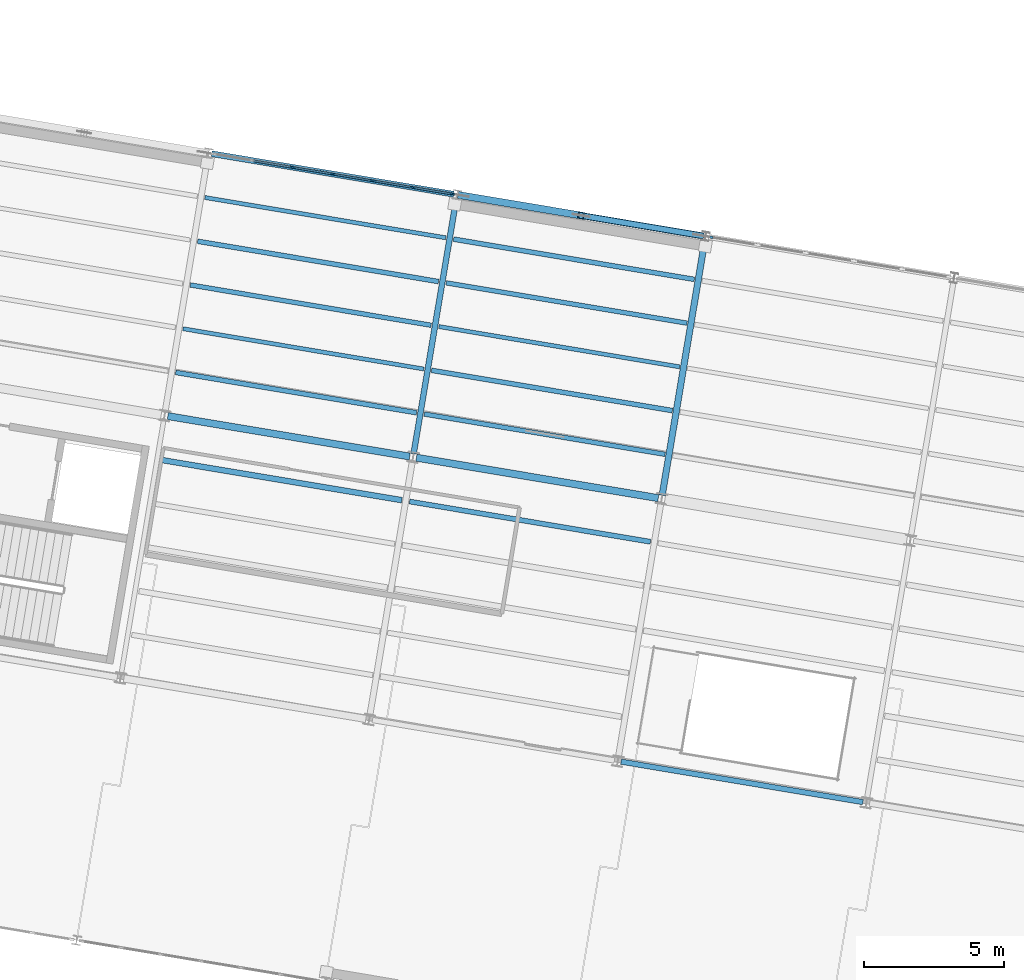
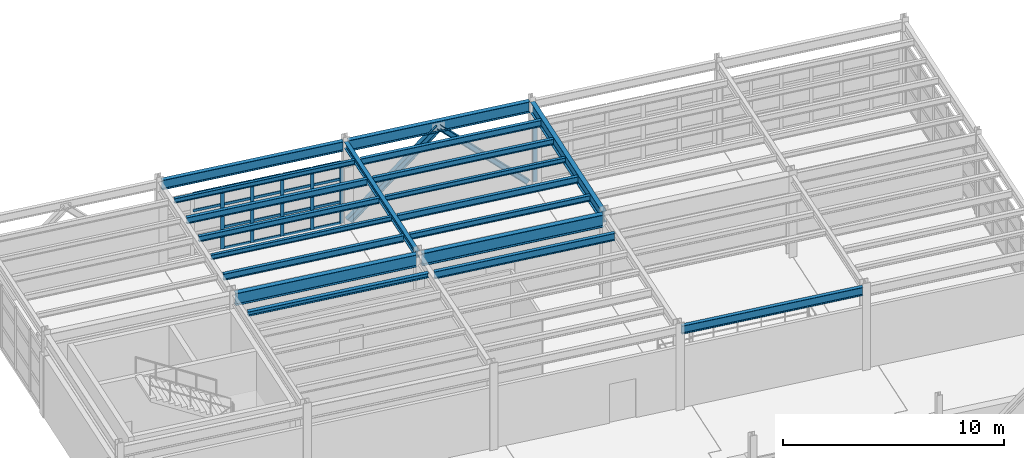
# One storey, part 41 of 102: 26 members, 19 beams, 2 elements without a shape of their own.
"""IFC4 building model written with IfcOpenShell, lengths in metres."""

from ifc_helpers import new_model, si_unit, direction, frame, origin, origin_2d, place, context, subcontext, project, spatial, rectangle, i_section, extrude, material, layer, layer_set, material_profile, profile_set, type_object, element, aggregate, save


model = new_model("IFC4")

# Units and contexts
model_context = context("Model", 3, precision=1e-05, world=origin(), true_north=direction((0.0, 1.0)))
body_context = subcontext(model_context, "Body", "Model", "MODEL_VIEW")
ifc_project = project(units=[si_unit("LENGTHUNIT", "METRE"), si_unit("AREAUNIT", "SQUARE_METRE"), si_unit("VOLUMEUNIT", "CUBIC_METRE"), si_unit("PLANEANGLEUNIT", "RADIAN"), si_unit("MASSUNIT", "GRAM", prefix="KILO")], contexts=[model_context])

# Site, building, storey
site_placement = place(None, origin())
site = spatial("IfcSite", under=ifc_project, at=site_placement, CompositionType="ELEMENT")
building_placement = place(site_placement, origin())
building = spatial("IfcBuilding", under=site, at=building_placement, Name="Vireo Bluff Cable Station", CompositionType="ELEMENT")
storey_placement = place(building_placement, frame((0.0, 0.0, 9.60009765625)))
storey = spatial("IfcBuildingStorey", under=building, at=storey_placement, Name="L02", CompositionType="ELEMENT", Elevation=9.60009765625)

# Beam
ifc_material_1 = material(Name="Steel ASTM A992 Gr. 50", Category="steel")
ifc_material_profile_1 = material_profile(ifc_material_1, i_section(OverallWidth=0.2041015625, OverallDepth=0.35009765625, WebThickness=0.008544921875, FlangeThickness=0.01513671875, FilletRadius=0.010009765625, at=origin_2d()), Name="W14X48")
ifc_profile_set_1 = profile_set([ifc_material_profile_1], Name="Steel ASTM A992 Gr. 50")
beam_type_1 = type_object("IfcBeamType", Name="BM-W14X48", PredefinedType="BEAM", material=ifc_profile_set_1)
beam_1_placement = place(storey_placement, frame((26.408935546875, 87.386962890625, 4.364990234375), z_axis=(0.165044536891, 0.986286115102, 0.0), x_axis=(-0.986286115102, 0.165044536891, 0.0)))
element("IfcBeam", 1, at=beam_1_placement, inside=storey, type_object=beam_type_1, Name="V4 L02 beam 992", PredefinedType="BEAM", context=body_context, shape_type="SweptSolid", body=[
    extrude(i_section(OverallWidth=0.2041015625, OverallDepth=0.35009765625, WebThickness=0.008544921875, FlangeThickness=0.01513671875, FilletRadius=0.010009765625, at=origin_2d()), origin(), (0.0, 0.0, 1.0), 9.260009765625),
])

# Members
ifc_material_profile_2 = material_profile(ifc_material_1, i_section(OverallWidth=0.2041015625, OverallDepth=0.257080078125, WebThickness=0.0087890625, FlangeThickness=0.015625, FilletRadius=0.009033203125, at=origin_2d()), Name="W10X45")
ifc_profile_set_2 = profile_set([ifc_material_profile_2], Name="Steel ASTM A992 Gr. 50")
member_type_1 = type_object("IfcMemberType", Name="BRC-01", PredefinedType="BRACE", material=ifc_profile_set_2)
member_1_placement = place(storey_placement, frame((36.67578125, 95.17919921875, 0.039794921875), z_axis=(-0.713650967905, 0.119423483707, 0.690246570109), x_axis=(-0.165046622801, -0.986285766044, 0.0)))
element("IfcMember", 2, at=member_1_placement, inside=storey, type_object=member_type_1, Name="V4 L02 concentric brace 78R", PredefinedType="BRACE", context=body_context, shape_type="SweptSolid", body=[
    extrude(i_section(OverallWidth=0.2041015625, OverallDepth=0.257080078125, WebThickness=0.0087890625, FlangeThickness=0.015625, FilletRadius=0.009033203125, at=origin_2d()), origin(), (0.0, 0.0, 1.0), 5.998046875),
])
ifc_material_profile_3 = material_profile(ifc_material_1, i_section(OverallWidth=0.25390625, OverallDepth=0.35302734375, WebThickness=0.009521484375, FlangeThickness=0.016357421875, FilletRadius=0.011962890625, at=origin_2d()), Name="W14X61")
ifc_profile_set_3 = profile_set([ifc_material_profile_3], Name="Steel ASTM A992 Gr. 50")
member_type_2 = type_object("IfcMemberType", Name="BRC-06", PredefinedType="BRACE", material=ifc_profile_set_3)
member_2_placement = place(storey_placement, frame((28.11474609375, 96.61181640625, 0.039794921875), z_axis=(0.713650967905, -0.119423483707, 0.690246570109), x_axis=(0.165046622801, 0.986285766044, 0.0)))
element("IfcMember", 3, at=member_2_placement, inside=storey, type_object=member_type_2, Name="V4 L02 concentric brace 77L", PredefinedType="BRACE", context=body_context, shape_type="SweptSolid", body=[
    extrude(i_section(OverallWidth=0.25390625, OverallDepth=0.35302734375, WebThickness=0.009521484375, FlangeThickness=0.016357421875, FilletRadius=0.011962890625, at=origin_2d()), origin(), (0.0, 0.0, 1.0), 5.998046875),
])

# Curtain wall, members
ifc_material_2 = material(Name="Anodized Aluminium 6063-T6", Category="aluminium")
ifc_layer_1 = layer(ifc_material_2, 0.179931640625, Name="Anodized Aluminium 6063-T6")
ifc_layer_set_1 = layer_set([ifc_layer_1], Name="Anodized Aluminium 6063-T6")
curtain_wall_type_1 = type_object("IfcCurtainWallType", Name="CW-UNIT-1500", PredefinedType="USERDEFINED", material=ifc_layer_set_1)
curtain_wall_1_placement = place(storey_placement, origin())
curtain_wall_1 = element("IfcCurtainWall", 4, at=curtain_wall_1_placement, inside=storey, type_object=curtain_wall_type_1, Name="V4 L02 north curtain wall CW-100", ObjectType="UNITISED CURTAIN WALL", PredefinedType="USERDEFINED")
ifc_material_profile_4 = material_profile(ifc_material_2, rectangle(XDim=0.06494140625, YDim=0.179931640625, at=origin_2d()), Name="ALU-M-65X180")
ifc_profile_set_4 = profile_set([ifc_material_profile_4], Name="Anodized Aluminium 6063-T6")
member_type_3 = type_object("IfcMemberType", Name="CWM-01", PredefinedType="MULLION", material=ifc_profile_set_4)
member_3_placement = place(storey_placement, frame((22.092041015625, 97.61962890625, 0.0), z_axis=(0.0, 0.0, 1.0), x_axis=(0.165047544373, 0.986285611827, 0.0)))
member_3 = element("IfcMember", 5, at=member_3_placement, type_object=member_type_3, Name="CW-100 mullion 3", PredefinedType="MULLION", context=body_context, shape_type="SweptSolid", body=[
    extrude(rectangle(XDim=0.06494140625, YDim=0.179931640625, at=origin_2d()), origin(), (0.0, 0.0, 1.0), 3.39990234375),
])
member_4_placement = place(storey_placement, frame((23.519775390625, 97.380859375, 0.0), z_axis=(0.0, 0.0, 1.0), x_axis=(0.165047544373, 0.986285611827, 0.0)))
member_4 = element("IfcMember", 6, at=member_4_placement, type_object=member_type_3, Name="CW-100 mullion 4", PredefinedType="MULLION", context=body_context, shape_type="SweptSolid", body=[
    extrude(rectangle(XDim=0.06494140625, YDim=0.179931640625, at=origin_2d()), origin(), (0.0, 0.0, 1.0), 3.39990234375),
])
member_5_placement = place(storey_placement, frame((24.947265625, 97.141845703125, 0.0), z_axis=(0.0, 0.0, 1.0), x_axis=(0.165047544373, 0.986285611827, 0.0)))
member_5 = element("IfcMember", 7, at=member_5_placement, type_object=member_type_3, Name="CW-100 mullion 5", PredefinedType="MULLION", context=body_context, shape_type="SweptSolid", body=[
    extrude(rectangle(XDim=0.06494140625, YDim=0.179931640625, at=origin_2d()), origin(), (0.0, 0.0, 1.0), 3.39990234375),
])
member_6_placement = place(storey_placement, frame((26.375, 96.903076171875, 0.0), z_axis=(0.0, 0.0, 1.0), x_axis=(0.165047544373, 0.986285611827, 0.0)))
member_6 = element("IfcMember", 8, at=member_6_placement, type_object=member_type_3, Name="CW-100 mullion 6", PredefinedType="MULLION", context=body_context, shape_type="SweptSolid", body=[
    extrude(rectangle(XDim=0.06494140625, YDim=0.179931640625, at=origin_2d()), origin(), (0.0, 0.0, 1.0), 3.39990234375),
])
member_7_placement = place(storey_placement, frame((27.7705078125, 96.66943359375, 0.0), z_axis=(0.0, 0.0, 1.0), x_axis=(0.165047544373, 0.986285611827, 0.0)))
member_7 = element("IfcMember", 9, at=member_7_placement, type_object=member_type_3, Name="CW-100 mullion 7", PredefinedType="MULLION", context=body_context, shape_type="SweptSolid", body=[
    extrude(rectangle(XDim=0.06494140625, YDim=0.179931640625, at=origin_2d()), origin(), (0.0, 0.0, 1.0), 3.39990234375),
])

# Curtain wall, member
ifc_layer_2 = layer(ifc_material_2, 0.179931640625, Name="Anodized Aluminium 6063-T6")
ifc_layer_set_2 = layer_set([ifc_layer_2], Name="Anodized Aluminium 6063-T6")
curtain_wall_type_2 = type_object("IfcCurtainWallType", Name="CW-UNIT-1650", PredefinedType="USERDEFINED", material=ifc_layer_set_2)
curtain_wall_2_placement = place(storey_placement, origin())
curtain_wall_2 = element("IfcCurtainWall", 10, at=curtain_wall_2_placement, inside=storey, type_object=curtain_wall_type_2, Name="V4 L02 north curtain wall CW-101", ObjectType="UNITISED CURTAIN WALL", PredefinedType="USERDEFINED")
ifc_material_profile_5 = material_profile(ifc_material_2, rectangle(XDim=0.074951171875, YDim=0.2099609375, at=origin_2d()), Name="ALU-M-75X210")
ifc_profile_set_5 = profile_set([ifc_material_profile_5], Name="Anodized Aluminium 6063-T6")
member_type_4 = type_object("IfcMemberType", Name="CWM-02", PredefinedType="MULLION", material=ifc_profile_set_5)
member_8_placement = place(storey_placement, frame((36.997802734375, 95.12548828125, 0.0), z_axis=(0.0, 0.0, 1.0), x_axis=(0.165047581847, 0.986285605556, 0.0)))
member_8 = element("IfcMember", 11, at=member_8_placement, type_object=member_type_4, Name="CW-101 mullion 1", PredefinedType="MULLION", context=body_context, shape_type="SweptSolid", body=[
    extrude(rectangle(XDim=0.074951171875, YDim=0.2099609375, at=origin_2d()), origin(), (0.0, 0.0, 1.0), 3.39990234375),
])
aggregate(curtain_wall_2, [member_8])

# Member
ifc_material_profile_6 = material_profile(ifc_material_2, rectangle(XDim=0.06494140625, YDim=0.139892578125, at=origin_2d()), Name="ALU-T-65X140")
ifc_profile_set_6 = profile_set([ifc_material_profile_6], Name="Anodized Aluminium 6063-T6")
member_type_5 = type_object("IfcMemberType", Name="CWT-01", PredefinedType="USERDEFINED", material=ifc_profile_set_6)
member_9_placement = place(storey_placement, frame((20.696533203125, 97.853271484375, 2.447998046875), z_axis=(0.986274344137, -0.165114863343, 0.0), x_axis=(0.165114863343, 0.986274344137, 0.0)))
member_9 = element("IfcMember", 12, at=member_9_placement, type_object=member_type_5, Name="CW-100 transom 2.3", ObjectType="TRANSOM", PredefinedType="USERDEFINED", context=body_context, shape_type="SweptSolid", body=[
    extrude(rectangle(XDim=0.06494140625, YDim=0.139892578125, at=origin_2d()), origin(), (0.0, 0.0, 1.0), 1.382568359375),
])

member_10_placement = place(storey_placement, frame((20.696533203125, 97.853271484375, 3.367431640625), z_axis=(0.986274344137, -0.165114863343, 0.0), x_axis=(0.165114863343, 0.986274344137, 0.0)))
member_10 = element("IfcMember", 13, at=member_10_placement, type_object=member_type_5, Name="CW-100 transom 2.4", ObjectType="TRANSOM", PredefinedType="USERDEFINED", context=body_context, shape_type="SweptSolid", body=[
    extrude(rectangle(XDim=0.06494140625, YDim=0.139892578125, at=origin_2d()), origin(), (0.0, 0.0, 1.0), 1.382568359375),
])

member_11_placement = place(storey_placement, frame((22.1240234375, 97.6142578125, 0.032470703125), z_axis=(0.986303088001, -0.164943076847, 0.0), x_axis=(0.164943076847, 0.986303088001, 0.0)))
member_11 = element("IfcMember", 14, at=member_11_placement, type_object=member_type_5, Name="CW-100 transom 3.1", ObjectType="TRANSOM", PredefinedType="USERDEFINED", context=body_context, shape_type="SweptSolid", body=[
    extrude(rectangle(XDim=0.06494140625, YDim=0.139892578125, at=origin_2d()), origin(), (0.0, 0.0, 1.0), 1.382568359375),
])

member_12_placement = place(storey_placement, frame((22.1240234375, 97.6142578125, 1.18994140625), z_axis=(0.986303088001, -0.164943076847, 0.0), x_axis=(0.164943076847, 0.986303088001, 0.0)))
member_12 = element("IfcMember", 15, at=member_12_placement, type_object=member_type_5, Name="CW-100 transom 3.2", ObjectType="TRANSOM", PredefinedType="USERDEFINED", context=body_context, shape_type="SweptSolid", body=[
    extrude(rectangle(XDim=0.06494140625, YDim=0.139892578125, at=origin_2d()), origin(), (0.0, 0.0, 1.0), 1.382568359375),
])

member_13_placement = place(storey_placement, frame((22.1240234375, 97.6142578125, 2.447998046875), z_axis=(0.986303088001, -0.164943076847, 0.0), x_axis=(0.164943076847, 0.986303088001, 0.0)))
member_13 = element("IfcMember", 16, at=member_13_placement, type_object=member_type_5, Name="CW-100 transom 3.3", ObjectType="TRANSOM", PredefinedType="USERDEFINED", context=body_context, shape_type="SweptSolid", body=[
    extrude(rectangle(XDim=0.06494140625, YDim=0.139892578125, at=origin_2d()), origin(), (0.0, 0.0, 1.0), 1.382568359375),
])

member_14_placement = place(storey_placement, frame((22.1240234375, 97.6142578125, 3.367431640625), z_axis=(0.986303088001, -0.164943076847, 0.0), x_axis=(0.164943076847, 0.986303088001, 0.0)))
member_14 = element("IfcMember", 17, at=member_14_placement, type_object=member_type_5, Name="CW-100 transom 3.4", ObjectType="TRANSOM", PredefinedType="USERDEFINED", context=body_context, shape_type="SweptSolid", body=[
    extrude(rectangle(XDim=0.06494140625, YDim=0.139892578125, at=origin_2d()), origin(), (0.0, 0.0, 1.0), 1.382568359375),
])

member_15_placement = place(storey_placement, frame((23.5517578125, 97.37548828125, 0.032470703125), z_axis=(0.986274344137, -0.165114863343, 0.0), x_axis=(0.165114863343, 0.986274344137, 0.0)))
member_15 = element("IfcMember", 18, at=member_15_placement, type_object=member_type_5, Name="CW-100 transom 4.1", ObjectType="TRANSOM", PredefinedType="USERDEFINED", context=body_context, shape_type="SweptSolid", body=[
    extrude(rectangle(XDim=0.06494140625, YDim=0.139892578125, at=origin_2d()), origin(), (0.0, 0.0, 1.0), 1.382568359375),
])

member_16_placement = place(storey_placement, frame((23.5517578125, 97.37548828125, 1.18994140625), z_axis=(0.986274344137, -0.165114863343, 0.0), x_axis=(0.165114863343, 0.986274344137, 0.0)))
member_16 = element("IfcMember", 19, at=member_16_placement, type_object=member_type_5, Name="CW-100 transom 4.2", ObjectType="TRANSOM", PredefinedType="USERDEFINED", context=body_context, shape_type="SweptSolid", body=[
    extrude(rectangle(XDim=0.06494140625, YDim=0.139892578125, at=origin_2d()), origin(), (0.0, 0.0, 1.0), 1.382568359375),
])

member_17_placement = place(storey_placement, frame((23.5517578125, 97.37548828125, 2.447998046875), z_axis=(0.986274344137, -0.165114863343, 0.0), x_axis=(0.165114863343, 0.986274344137, 0.0)))
member_17 = element("IfcMember", 20, at=member_17_placement, type_object=member_type_5, Name="CW-100 transom 4.3", ObjectType="TRANSOM", PredefinedType="USERDEFINED", context=body_context, shape_type="SweptSolid", body=[
    extrude(rectangle(XDim=0.06494140625, YDim=0.139892578125, at=origin_2d()), origin(), (0.0, 0.0, 1.0), 1.382568359375),
])

member_18_placement = place(storey_placement, frame((23.5517578125, 97.37548828125, 3.367431640625), z_axis=(0.986274344137, -0.165114863343, 0.0), x_axis=(0.165114863343, 0.986274344137, 0.0)))
member_18 = element("IfcMember", 21, at=member_18_placement, type_object=member_type_5, Name="CW-100 transom 4.4", ObjectType="TRANSOM", PredefinedType="USERDEFINED", context=body_context, shape_type="SweptSolid", body=[
    extrude(rectangle(XDim=0.06494140625, YDim=0.139892578125, at=origin_2d()), origin(), (0.0, 0.0, 1.0), 1.382568359375),
])

member_19_placement = place(storey_placement, frame((24.9794921875, 97.136474609375, 0.032470703125), z_axis=(0.986303088001, -0.164943076847, 0.0), x_axis=(0.164943076847, 0.986303088001, 0.0)))
member_19 = element("IfcMember", 22, at=member_19_placement, type_object=member_type_5, Name="CW-100 transom 5.1", ObjectType="TRANSOM", PredefinedType="USERDEFINED", context=body_context, shape_type="SweptSolid", body=[
    extrude(rectangle(XDim=0.06494140625, YDim=0.139892578125, at=origin_2d()), origin(), (0.0, 0.0, 1.0), 1.382568359375),
])

member_20_placement = place(storey_placement, frame((24.9794921875, 97.136474609375, 1.18994140625), z_axis=(0.986303088001, -0.164943076847, 0.0), x_axis=(0.164943076847, 0.986303088001, 0.0)))
member_20 = element("IfcMember", 23, at=member_20_placement, type_object=member_type_5, Name="CW-100 transom 5.2", ObjectType="TRANSOM", PredefinedType="USERDEFINED", context=body_context, shape_type="SweptSolid", body=[
    extrude(rectangle(XDim=0.06494140625, YDim=0.139892578125, at=origin_2d()), origin(), (0.0, 0.0, 1.0), 1.382568359375),
])

member_21_placement = place(storey_placement, frame((24.9794921875, 97.136474609375, 2.447998046875), z_axis=(0.986303088001, -0.164943076847, 0.0), x_axis=(0.164943076847, 0.986303088001, 0.0)))
member_21 = element("IfcMember", 24, at=member_21_placement, type_object=member_type_5, Name="CW-100 transom 5.3", ObjectType="TRANSOM", PredefinedType="USERDEFINED", context=body_context, shape_type="SweptSolid", body=[
    extrude(rectangle(XDim=0.06494140625, YDim=0.139892578125, at=origin_2d()), origin(), (0.0, 0.0, 1.0), 1.382568359375),
])

member_22_placement = place(storey_placement, frame((24.9794921875, 97.136474609375, 3.367431640625), z_axis=(0.986303088001, -0.164943076847, 0.0), x_axis=(0.164943076847, 0.986303088001, 0.0)))
member_22 = element("IfcMember", 25, at=member_22_placement, type_object=member_type_5, Name="CW-100 transom 5.4", ObjectType="TRANSOM", PredefinedType="USERDEFINED", context=body_context, shape_type="SweptSolid", body=[
    extrude(rectangle(XDim=0.06494140625, YDim=0.139892578125, at=origin_2d()), origin(), (0.0, 0.0, 1.0), 1.382568359375),
])

member_23_placement = place(storey_placement, frame((26.406982421875, 96.897705078125, 0.032470703125), z_axis=(0.986276374104, -0.165102737359, 0.0), x_axis=(0.165102737359, 0.986276374104, 0.0)))
member_23 = element("IfcMember", 26, at=member_23_placement, type_object=member_type_5, Name="CW-100 transom 6.1", ObjectType="TRANSOM", PredefinedType="USERDEFINED", context=body_context, shape_type="SweptSolid", body=[
    extrude(rectangle(XDim=0.06494140625, YDim=0.139892578125, at=origin_2d()), origin(), (0.0, 0.0, 1.0), 1.35009765625),
])

member_24_placement = place(storey_placement, frame((26.406982421875, 96.897705078125, 1.18994140625), z_axis=(0.986276374104, -0.165102737359, 0.0), x_axis=(0.165102737359, 0.986276374104, 0.0)))
member_24 = element("IfcMember", 27, at=member_24_placement, type_object=member_type_5, Name="CW-100 transom 6.2", ObjectType="TRANSOM", PredefinedType="USERDEFINED", context=body_context, shape_type="SweptSolid", body=[
    extrude(rectangle(XDim=0.06494140625, YDim=0.139892578125, at=origin_2d()), origin(), (0.0, 0.0, 1.0), 1.35009765625),
])

member_25_placement = place(storey_placement, frame((26.406982421875, 96.897705078125, 2.447998046875), z_axis=(0.986276374104, -0.165102737359, 0.0), x_axis=(0.165102737359, 0.986276374104, 0.0)))
member_25 = element("IfcMember", 28, at=member_25_placement, type_object=member_type_5, Name="CW-100 transom 6.3", ObjectType="TRANSOM", PredefinedType="USERDEFINED", context=body_context, shape_type="SweptSolid", body=[
    extrude(rectangle(XDim=0.06494140625, YDim=0.139892578125, at=origin_2d()), origin(), (0.0, 0.0, 1.0), 1.35009765625),
])

member_26_placement = place(storey_placement, frame((26.406982421875, 96.897705078125, 3.367431640625), z_axis=(0.986276374104, -0.165102737359, 0.0), x_axis=(0.165102737359, 0.986276374104, 0.0)))
member_26 = element("IfcMember", 29, at=member_26_placement, type_object=member_type_5, Name="CW-100 transom 6.4", ObjectType="TRANSOM", PredefinedType="USERDEFINED", context=body_context, shape_type="SweptSolid", body=[
    extrude(rectangle(XDim=0.06494140625, YDim=0.139892578125, at=origin_2d()), origin(), (0.0, 0.0, 1.0), 1.35009765625),
])

aggregate(curtain_wall_1, [member_3, member_4, member_5, member_6, member_7, member_9, member_10, member_11, member_12, member_13, member_14, member_15, member_16, member_17, member_18, member_19, member_20, member_21, member_22, member_23, member_24, member_25, member_26])

# Beams
ifc_material_profile_7 = material_profile(ifc_material_1, i_section(OverallWidth=0.257080078125, OverallDepth=0.693115234375, WebThickness=0.014404296875, FlangeThickness=0.023681640625, FilletRadius=0.014892578125, at=origin_2d()), Name="W27X114")
ifc_profile_set_7 = profile_set([ifc_material_profile_7], Name="Steel ASTM A992 Gr. 50")
beam_type_2 = type_object("IfcBeamType", Name="GIR-W27X114", PredefinedType="USERDEFINED", material=ifc_profile_set_7)
beam_2_placement = place(storey_placement, frame((26.50732421875, 87.248779296875, 4.193359375), z_axis=(0.986285998922, -0.165045231163, 0.0), x_axis=(0.165045231163, 0.986285998922, 0.0)))
element("IfcBeam", 30, at=beam_2_placement, inside=storey, type_object=beam_type_2, Name="V4 L02 girder 983", ObjectType="GIRDER", PredefinedType="USERDEFINED", context=body_context, shape_type="SweptSolid", body=[
    extrude(i_section(OverallWidth=0.257080078125, OverallDepth=0.693115234375, WebThickness=0.014404296875, FlangeThickness=0.023681640625, FilletRadius=0.014892578125, at=origin_2d()), origin(), (0.0, 0.0, 1.0), 8.760009765625),
])
ifc_material_profile_8 = material_profile(ifc_material_1, i_section(OverallWidth=0.2529296875, OverallDepth=0.677978515625, WebThickness=0.01171875, FlangeThickness=0.016357421875, FilletRadius=0.014892578125, at=origin_2d()), Name="W27X84")
ifc_profile_set_8 = profile_set([ifc_material_profile_8], Name="Steel ASTM A992 Gr. 50")
beam_type_3 = type_object("IfcBeamType", Name="GIR-W27X84", PredefinedType="USERDEFINED", material=ifc_profile_set_8)
beam_3_placement = place(storey_placement, frame((17.630859375, 88.734130859375, 4.200927734375), z_axis=(0.986285998922, -0.165045231163, 0.0), x_axis=(0.165045231163, 0.986285998922, 0.0)))
element("IfcBeam", 31, at=beam_3_placement, inside=storey, type_object=beam_type_3, Name="V4 L02 girder 982", ObjectType="GIRDER", PredefinedType="USERDEFINED", context=body_context, shape_type="SweptSolid", body=[
    extrude(i_section(OverallWidth=0.2529296875, OverallDepth=0.677978515625, WebThickness=0.01171875, FlangeThickness=0.016357421875, FilletRadius=0.014892578125, at=origin_2d()), origin(), (0.0, 0.0, 1.0), 8.760009765625),
])
ifc_material_profile_9 = material_profile(ifc_material_1, i_section(OverallWidth=0.14599609375, OverallDepth=0.259033203125, WebThickness=0.006103515625, FlangeThickness=0.009033203125, FilletRadius=0.009033203125, at=origin_2d()), Name="W10X22")
ifc_profile_set_9 = profile_set([ifc_material_profile_9], Name="Steel ASTM A992 Gr. 50")
beam_type_4 = type_object("IfcBeamType", Name="JST-W10X22", PredefinedType="JOIST", material=ifc_profile_set_9)
beam_4_placement = place(storey_placement, frame((18.173095703125, 91.854248046875, 4.410400390625), z_axis=(0.986281706588, -0.165070879472, 0.0), x_axis=(0.165070879472, 0.986281706588, 0.0)))
element("IfcBeam", 32, at=beam_4_placement, inside=storey, type_object=beam_type_4, Name="V4 L02 composite joist 1006", PredefinedType="JOIST", context=body_context, shape_type="SweptSolid", body=[
    extrude(i_section(OverallWidth=0.14599609375, OverallDepth=0.259033203125, WebThickness=0.006103515625, FlangeThickness=0.009033203125, FilletRadius=0.009033203125, at=origin_2d()), origin(), (0.0, 0.0, 1.0), 8.72021484375),
])
beam_5_placement = place(storey_placement, frame((18.957275390625, 96.5390625, 4.410400390625), z_axis=(0.98628550168, -0.165048202583, 0.0), x_axis=(0.165048202583, 0.98628550168, 0.0)))
element("IfcBeam", 33, at=beam_5_placement, inside=storey, type_object=beam_type_4, Name="V4 L02 composite joist 1009", PredefinedType="JOIST", context=body_context, shape_type="SweptSolid", body=[
    extrude(i_section(OverallWidth=0.14599609375, OverallDepth=0.259033203125, WebThickness=0.006103515625, FlangeThickness=0.009033203125, FilletRadius=0.009033203125, at=origin_2d()), origin(), (0.0, 0.0, 1.0), 8.719970703125),
])
beam_6_placement = place(storey_placement, frame((27.31103515625, 91.930419921875, 4.410400390625), z_axis=(0.986286264339, -0.165043645063, 0.0), x_axis=(0.165043645063, 0.986286264339, 0.0)))
element("IfcBeam", 34, at=beam_6_placement, inside=storey, type_object=beam_type_4, Name="V4 L02 composite joist 1017", PredefinedType="JOIST", context=body_context, shape_type="SweptSolid", body=[
    extrude(i_section(OverallWidth=0.14599609375, OverallDepth=0.259033203125, WebThickness=0.006103515625, FlangeThickness=0.009033203125, FilletRadius=0.009033203125, at=origin_2d()), origin(), (0.0, 0.0, 1.0), 8.72021484375),
])
ifc_material_profile_10 = material_profile(ifc_material_1, i_section(OverallWidth=0.201904296875, OverallDepth=0.2470703125, WebThickness=0.00732421875, FlangeThickness=0.010986328125, FilletRadius=0.009033203125, at=origin_2d()), Name="W10X33")
ifc_profile_set_10 = profile_set([ifc_material_profile_10], Name="Steel ASTM A992 Gr. 50")
beam_type_5 = type_object("IfcBeamType", Name="JST-W10X33", PredefinedType="JOIST", material=ifc_profile_set_10)
beam_7_placement = place(storey_placement, frame((17.38916015625, 87.169189453125, 4.41650390625), z_axis=(0.986286264339, -0.165043645063, 0.0), x_axis=(0.165043645063, 0.986286264339, 0.0)))
element("IfcBeam", 35, at=beam_7_placement, inside=storey, type_object=beam_type_5, Name="V4 L02 composite joist 1004", PredefinedType="JOIST", context=body_context, shape_type="SweptSolid", body=[
    extrude(i_section(OverallWidth=0.201904296875, OverallDepth=0.2470703125, WebThickness=0.00732421875, FlangeThickness=0.010986328125, FilletRadius=0.009033203125, at=origin_2d()), origin(), (0.0, 0.0, 1.0), 8.72021484375),
])
ifc_material_profile_11 = material_profile(ifc_material_1, i_section(OverallWidth=0.1650390625, OverallDepth=0.31005859375, WebThickness=0.005859375, FlangeThickness=0.009765625, FilletRadius=0.010009765625, at=origin_2d()), Name="W12X26")
ifc_profile_set_11 = profile_set([ifc_material_profile_11], Name="Steel ASTM A992 Gr. 50")
beam_type_6 = type_object("IfcBeamType", Name="JST-W12X26", PredefinedType="JOIST", material=ifc_profile_set_11)
beam_8_placement = place(storey_placement, frame((18.4345703125, 93.415771484375, 4.385009765625), z_axis=(0.98628550168, -0.165048202583, 0.0), x_axis=(0.165048202583, 0.98628550168, 0.0)))
element("IfcBeam", 36, at=beam_8_placement, inside=storey, type_object=beam_type_6, Name="V4 L02 composite joist 1007", PredefinedType="JOIST", context=body_context, shape_type="SweptSolid", body=[
    extrude(i_section(OverallWidth=0.1650390625, OverallDepth=0.31005859375, WebThickness=0.005859375, FlangeThickness=0.009765625, FilletRadius=0.010009765625, at=origin_2d()), origin(), (0.0, 0.0, 1.0), 8.719970703125),
])
beam_9_placement = place(storey_placement, frame((26.788330078125, 88.80712890625, 4.385009765625), z_axis=(0.986286264339, -0.165043645063, 0.0), x_axis=(0.165043645063, 0.986286264339, 0.0)))
element("IfcBeam", 37, at=beam_9_placement, inside=storey, type_object=beam_type_6, Name="V4 L02 composite joist 1015", PredefinedType="JOIST", context=body_context, shape_type="SweptSolid", body=[
    extrude(i_section(OverallWidth=0.1650390625, OverallDepth=0.31005859375, WebThickness=0.005859375, FlangeThickness=0.009765625, FilletRadius=0.010009765625, at=origin_2d()), origin(), (0.0, 0.0, 1.0), 8.72021484375),
])
beam_10_placement = place(storey_placement, frame((27.572509765625, 93.491943359375, 4.385009765625), z_axis=(0.98628550168, -0.165048202583, 0.0), x_axis=(0.165048202583, 0.98628550168, 0.0)))
element("IfcBeam", 38, at=beam_10_placement, inside=storey, type_object=beam_type_6, Name="V4 L02 composite joist 1018", PredefinedType="JOIST", context=body_context, shape_type="SweptSolid", body=[
    extrude(i_section(OverallWidth=0.1650390625, OverallDepth=0.31005859375, WebThickness=0.005859375, FlangeThickness=0.009765625, FilletRadius=0.010009765625, at=origin_2d()), origin(), (0.0, 0.0, 1.0), 8.719970703125),
])
ifc_material_profile_12 = material_profile(ifc_material_1, i_section(OverallWidth=0.1708984375, OverallDepth=0.35107421875, WebThickness=0.0068359375, FlangeThickness=0.009765625, FilletRadius=0.010009765625, at=origin_2d()), Name="W14X30")
ifc_profile_set_12 = profile_set([ifc_material_profile_12], Name="Steel ASTM A992 Gr. 50")
beam_type_7 = type_object("IfcBeamType", Name="JST-W14X30", PredefinedType="JOIST", material=ifc_profile_set_12)
beam_11_placement = place(storey_placement, frame((17.911865234375, 90.29248046875, 4.364501953125), z_axis=(0.98628550168, -0.165048202583, 0.0), x_axis=(0.165048202583, 0.98628550168, 0.0)))
element("IfcBeam", 39, at=beam_11_placement, inside=storey, type_object=beam_type_7, Name="V4 L02 composite joist 1005", PredefinedType="JOIST", context=body_context, shape_type="SweptSolid", body=[
    extrude(i_section(OverallWidth=0.1708984375, OverallDepth=0.35107421875, WebThickness=0.0068359375, FlangeThickness=0.009765625, FilletRadius=0.010009765625, at=origin_2d()), origin(), (0.0, 0.0, 1.0), 8.719970703125),
])
beam_12_placement = place(storey_placement, frame((18.69580078125, 94.977294921875, 4.364501953125), z_axis=(0.986286264339, -0.165043645063, 0.0), x_axis=(0.165043645063, 0.986286264339, 0.0)))
element("IfcBeam", 40, at=beam_12_placement, inside=storey, type_object=beam_type_7, Name="V4 L02 composite joist 1008", PredefinedType="JOIST", context=body_context, shape_type="SweptSolid", body=[
    extrude(i_section(OverallWidth=0.1708984375, OverallDepth=0.35107421875, WebThickness=0.0068359375, FlangeThickness=0.009765625, FilletRadius=0.010009765625, at=origin_2d()), origin(), (0.0, 0.0, 1.0), 8.72021484375),
])
for number, where, z_axis, x_axis, name in (
    (41, (27.0498046875, 90.36865234375, 4.364501953125), (0.98628550168, -0.165048202583, 0.0), (0.165048202583, 0.98628550168, 0.0), "V4 L02 composite joist 1016"),
    (42, (27.833740234375, 95.053466796875, 4.364501953125), (0.98628550168, -0.165048202583, 0.0), (0.165048202583, 0.98628550168, 0.0), "V4 L02 composite joist 1019"),
):
    element("IfcBeam", number, at=place(storey_placement, frame(where, z_axis=z_axis, x_axis=x_axis)), inside=storey, type_object=beam_type_7, Name=name, PredefinedType="JOIST", context=body_context, shape_type="SweptSolid", body=[
        extrude(i_section(OverallWidth=0.1708984375, OverallDepth=0.35107421875, WebThickness=0.0068359375, FlangeThickness=0.009765625, FilletRadius=0.010009765625, at=origin_2d()), origin(), (0.0, 0.0, 1.0), 8.719970703125),
    ])
ifc_material_profile_13 = material_profile(ifc_material_1, i_section(OverallWidth=0.177978515625, OverallDepth=0.404052734375, WebThickness=0.007568359375, FlangeThickness=0.010986328125, FilletRadius=0.010009765625, at=origin_2d()), Name="W16X36")
ifc_profile_set_13 = profile_set([ifc_material_profile_13], Name="Steel ASTM A992 Gr. 50")
beam_type_8 = type_object("IfcBeamType", Name="JST-W16X36", PredefinedType="JOIST", material=ifc_profile_set_13)
beam_13_placement = place(storey_placement, frame((26.265869140625, 85.683837890625, 4.337890625), z_axis=(0.98628550168, -0.165048202583, 0.0), x_axis=(0.165048202583, 0.98628550168, 0.0)))
element("IfcBeam", 43, at=beam_13_placement, inside=storey, type_object=beam_type_8, Name="V4 L02 composite joist 1014", PredefinedType="JOIST", context=body_context, shape_type="SweptSolid", body=[
    extrude(i_section(OverallWidth=0.177978515625, OverallDepth=0.404052734375, WebThickness=0.007568359375, FlangeThickness=0.010986328125, FilletRadius=0.010009765625, at=origin_2d()), origin(), (0.0, 0.0, 1.0), 8.719970703125),
])
ifc_material_profile_14 = material_profile(ifc_material_1, i_section(OverallWidth=0.19091796875, OverallDepth=0.45703125, WebThickness=0.009033203125, FlangeThickness=0.014404296875, FilletRadius=0.011962890625, at=origin_2d()), Name="W18X50")
ifc_profile_set_14 = profile_set([ifc_material_profile_14], Name="Steel ASTM A992 Gr. 50")
beam_type_9 = type_object("IfcBeamType", Name="SPN-W18X50", PredefinedType="SPANDREL", material=ifc_profile_set_14)
beam_14_placement = place(storey_placement, frame((33.81591796875, 76.3935546875, 4.3115234375), z_axis=(0.986285998922, -0.165045231163, 0.0), x_axis=(0.165045231163, 0.986285998922, 0.0)))
element("IfcBeam", 44, at=beam_14_placement, inside=storey, type_object=beam_type_9, Name="V4 L02 spandrel 1020", PredefinedType="SPANDREL", context=body_context, shape_type="SweptSolid", body=[
    extrude(i_section(OverallWidth=0.19091796875, OverallDepth=0.45703125, WebThickness=0.009033203125, FlangeThickness=0.014404296875, FilletRadius=0.011962890625, at=origin_2d()), origin(), (0.0, 0.0, 1.0), 8.760009765625),
])
ifc_material_profile_15 = material_profile(ifc_material_1, i_section(OverallWidth=0.2099609375, OverallDepth=0.535888671875, WebThickness=0.010986328125, FlangeThickness=0.017333984375, FilletRadius=0.012939453125, at=origin_2d()), Name="W21X68")
ifc_profile_set_15 = profile_set([ifc_material_profile_15], Name="Steel ASTM A992 Gr. 50")
beam_type_10 = type_object("IfcBeamType", Name="SPN-W21X68", PredefinedType="SPANDREL", material=ifc_profile_set_15)
beam_15_placement = place(storey_placement, frame((19.19873046875, 98.10400390625, 4.27197265625), z_axis=(0.986285998922, -0.165045231163, 0.0), x_axis=(0.165045231163, 0.986285998922, 0.0)))
element("IfcBeam", 45, at=beam_15_placement, inside=storey, type_object=beam_type_10, Name="V4 L02 spandrel 985", PredefinedType="SPANDREL", context=body_context, shape_type="SweptSolid", body=[
    extrude(i_section(OverallWidth=0.2099609375, OverallDepth=0.535888671875, WebThickness=0.010986328125, FlangeThickness=0.017333984375, FilletRadius=0.012939453125, at=origin_2d()), origin(), (0.0, 0.0, 1.0), 8.760009765625),
])
ifc_material_profile_16 = material_profile(ifc_material_1, i_section(OverallWidth=0.22802734375, OverallDepth=0.60693359375, WebThickness=0.01123046875, FlangeThickness=0.017333984375, FilletRadius=0.012939453125, at=origin_2d()), Name="W24X76")
ifc_profile_set_16 = profile_set([ifc_material_profile_16], Name="Steel ASTM A992 Gr. 50")
beam_type_11 = type_object("IfcBeamType", Name="SPN-W24X76", PredefinedType="SPANDREL", material=ifc_profile_set_16)
beam_16_placement = place(storey_placement, frame((28.075439453125, 96.618408203125, 4.236328125), z_axis=(0.986285998922, -0.165045231163, 0.0), x_axis=(0.165045231163, 0.986285998922, 0.0)))
element("IfcBeam", 46, at=beam_16_placement, inside=storey, type_object=beam_type_11, Name="V4 L02 spandrel 986", PredefinedType="SPANDREL", context=body_context, shape_type="SweptSolid", body=[
    extrude(i_section(OverallWidth=0.22802734375, OverallDepth=0.60693359375, WebThickness=0.01123046875, FlangeThickness=0.017333984375, FilletRadius=0.012939453125, at=origin_2d()), origin(), (0.0, 0.0, 1.0), 8.760009765625),
])
beam_17_placement = place(storey_placement, frame((35.285400390625, 85.901611328125, 4.236328125), z_axis=(0.165048828716, 0.986285396901, 0.0), x_axis=(-0.986285396901, 0.165048828716, 0.0)))
element("IfcBeam", 47, at=beam_17_placement, inside=storey, type_object=beam_type_11, Name="V4 L02 spandrel 994", PredefinedType="SPANDREL", context=body_context, shape_type="SweptSolid", body=[
    extrude(i_section(OverallWidth=0.22802734375, OverallDepth=0.60693359375, WebThickness=0.01123046875, FlangeThickness=0.017333984375, FilletRadius=0.012939453125, at=origin_2d()), origin(), (0.0, 0.0, 1.0), 9.259765625),
])

save(model, "model.ifc")
